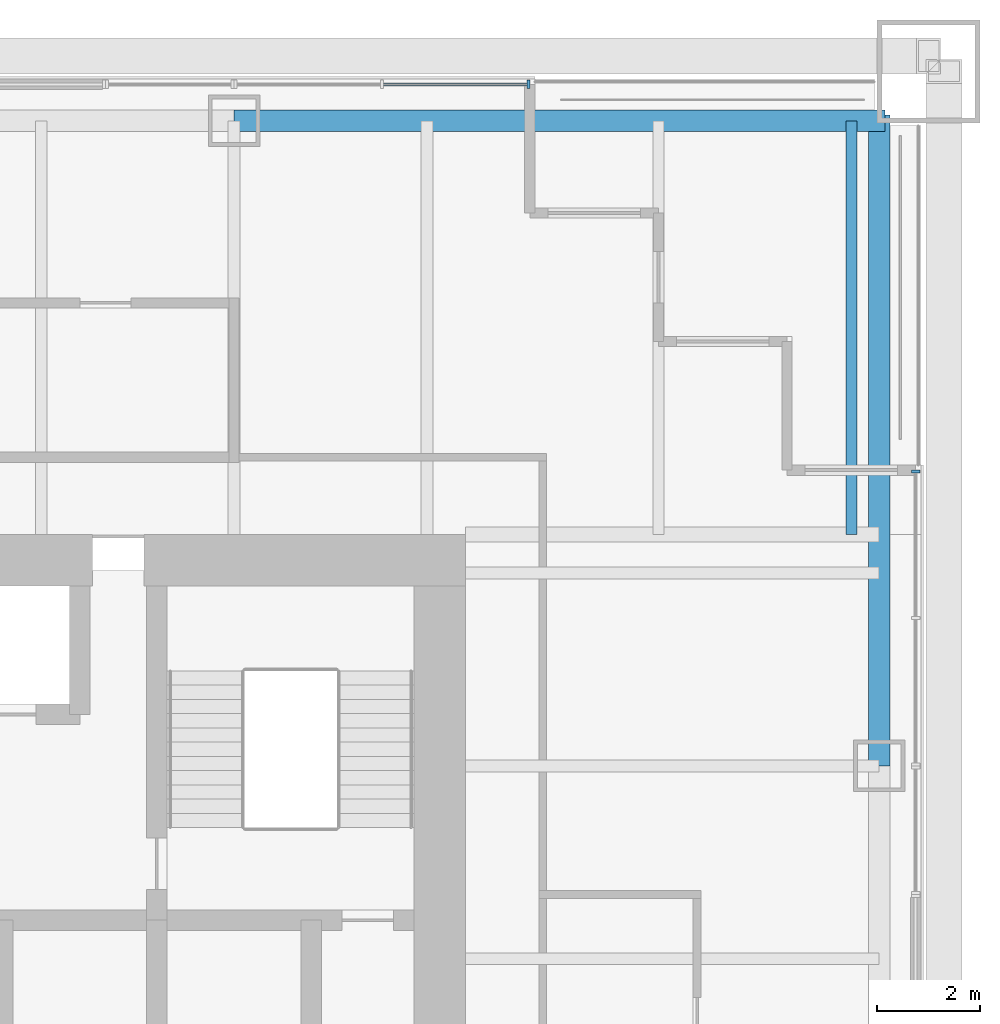
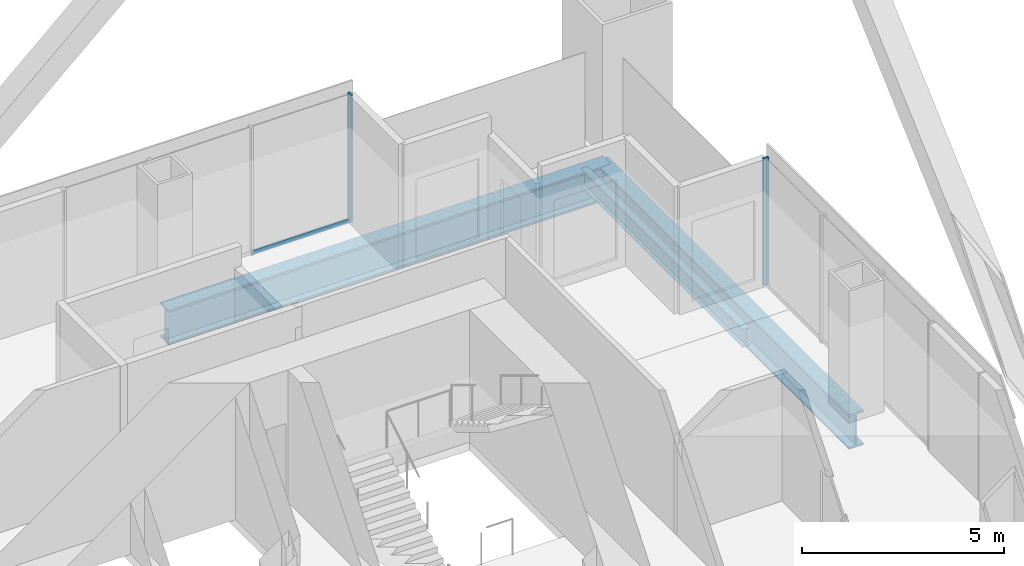
# One storey, part 12 of 19: 3 beams, 3 members, 2 elements without a shape of their own.
"""IFC4 building model written with IfcOpenShell, lengths in metres."""

from ifc_helpers import new_model, si_unit, direction, frame, origin, origin_2d, place, context, subcontext, project, spatial, rectangle, i_section, extrude, material, material_profile, profile_set, type_object, element, aggregate, save


model = new_model("IFC4")

# Units and contexts
model_context = context("Model", 3, precision=1e-05, world=origin(), true_north=direction((0.0, 1.0)))
body_context = subcontext(model_context, "Body", "Model", "MODEL_VIEW")
ifc_project = project(units=[si_unit("LENGTHUNIT", "METRE"), si_unit("AREAUNIT", "SQUARE_METRE"), si_unit("VOLUMEUNIT", "CUBIC_METRE"), si_unit("PLANEANGLEUNIT", "RADIAN"), si_unit("MASSUNIT", "GRAM", prefix="KILO")], contexts=[model_context])

# Site, building, storey
site_placement = place(None, origin())
site = spatial("IfcSite", under=ifc_project, at=site_placement, CompositionType="ELEMENT")
building_placement = place(site_placement, origin())
building = spatial("IfcBuilding", under=site, at=building_placement, Name="Tarangal Relay Tower", CompositionType="ELEMENT")
storey_placement = place(building_placement, frame((0.0, 0.0, 275.89990234375)))
storey = spatial("IfcBuildingStorey", under=building, at=storey_placement, Name="L60", CompositionType="ELEMENT", Elevation=275.89990234375)

# Beams
ifc_material_1 = material(Name="Steel ASTM A992", Category="steel")
ifc_material_profile_1 = material_profile(ifc_material_1, i_section(OverallWidth=0.209228515625, OverallDepth=0.533447265625, WebThickness=0.01025390625, FlangeThickness=0.015625, at=origin_2d()), Name="W21X62")
ifc_profile_set_1 = profile_set([ifc_material_profile_1], Name="Steel ASTM A992")
beam_type_1 = type_object("IfcBeamType", Name="Corner beam W21X62", PredefinedType="JOIST", material=ifc_profile_set_1)
beam_placement = place(storey_placement, frame((19.5, 12.0, -0.41650390625), z_axis=(0.0, 1.0, 0.0), x_axis=(-1.0, 0.0, 0.0)))
element("IfcBeam", 1, at=beam_placement, inside=storey, type_object=beam_type_1, Name="Corner beam CB12 N L60", PredefinedType="JOIST", context=body_context, shape_type="SweptSolid", body=[
    extrude(i_section(OverallWidth=0.209228515625, OverallDepth=0.533447265625, WebThickness=0.01025390625, FlangeThickness=0.015625, at=origin_2d()), origin(), (0.0, 0.0, 1.0), 8.0400390625),
])
ifc_material_profile_2 = material_profile(ifc_material_1, i_section(OverallWidth=0.41162109375, OverallDepth=1.049072265625, WebThickness=0.033935546875, FlangeThickness=0.059814453125, at=origin_2d()), Name="W40X431")
ifc_profile_set_2 = profile_set([ifc_material_profile_2], Name="Steel ASTM A992")
beam_type_2 = type_object("IfcBeamType", Name="Edge girder W40X431", PredefinedType="SPANDREL", material=ifc_profile_set_2)
for number, where, z_axis, x_axis, name in (
    (2, (7.5, 20.0400390625, -0.67431640625), (1.0, 0.0, 0.0), (0.0, 1.0, 0.0), "Edge girder EG1 N L60"),
    (3, (20.0400390625, 20.14990234375, -0.67431640625), (0.0, -1.0, 0.0), (1.0, 0.0, 0.0), "Edge girder EG1 E L60"),
):
    element("IfcBeam", number, at=place(storey_placement, frame(where, z_axis=z_axis, x_axis=x_axis)), inside=storey, type_object=beam_type_2, Name=name, PredefinedType="SPANDREL", context=body_context, shape_type="SweptSolid", body=[
        extrude(i_section(OverallWidth=0.41162109375, OverallDepth=1.049072265625, WebThickness=0.033935546875, FlangeThickness=0.059814453125, at=origin_2d()), origin(), (0.0, 0.0, 1.0), 12.64990234375),
    ])

# Curtain wall, member
ifc_material_2 = material(Name="Unitised curtain wall, dark glass and black aluminium", Category="aluminium")
curtain_wall_type = type_object("IfcCurtainWallType", Name="Curtain wall CW-B", PredefinedType="USERDEFINED", material=ifc_material_2)
curtain_wall_1_placement = place(storey_placement, origin())
curtain_wall_1 = element("IfcCurtainWall", 4, at=curtain_wall_1_placement, inside=storey, type_object=curtain_wall_type, Name="Curtain wall CW-B N facade L60", ObjectType="UNITISED CURTAIN WALL", PredefinedType="USERDEFINED")
ifc_material_3 = material(Name="Black anodised aluminium mullion", Category="aluminium")
ifc_material_profile_3 = material_profile(ifc_material_3, rectangle(XDim=0.159912109375, YDim=0.06005859375, at=origin_2d()), Name="CW-BM 60X160")
ifc_profile_set_3 = profile_set([ifc_material_profile_3], Name="Black anodised aluminium mullion")
member_type_1 = type_object("IfcMemberType", Name="Mullion CW-B 60 x 160", PredefinedType="MULLION", material=ifc_profile_set_3)
member_1_placement = place(storey_placement, frame((13.219970703125, 20.75, 0.0), z_axis=(0.0, 0.0, 1.0), x_axis=(0.0, 1.0, 0.0)))
member_1 = element("IfcMember", 5, at=member_1_placement, type_object=member_type_1, Name="CW-B mullion 3", PredefinedType="MULLION", context=body_context, shape_type="SweptSolid", body=[
    extrude(rectangle(XDim=0.159912109375, YDim=0.06005859375, at=origin_2d()), origin(), (0.0, 0.0, 1.0), 3.85009765625),
])

curtain_wall_2_placement = place(storey_placement, origin())
curtain_wall_2 = element("IfcCurtainWall", 6, at=curtain_wall_2_placement, inside=storey, type_object=curtain_wall_type, Name="Curtain wall CW-B E facade L60", ObjectType="UNITISED CURTAIN WALL", PredefinedType="USERDEFINED")
member_2_placement = place(storey_placement, frame((20.75, 13.219970703125, 0.0), z_axis=(0.0, 0.0, 1.0), x_axis=(1.0, 0.0, 0.0)))
member_2 = element("IfcMember", 7, at=member_2_placement, type_object=member_type_1, Name="CW-B mullion 1", PredefinedType="MULLION", context=body_context, shape_type="SweptSolid", body=[
    extrude(rectangle(XDim=0.159912109375, YDim=0.06005859375, at=origin_2d()), origin(), (0.0, 0.0, 1.0), 3.85009765625),
])
aggregate(curtain_wall_2, [member_2])

# Member
ifc_material_4 = material(Name="Black anodised aluminium transom", Category="aluminium")
ifc_material_profile_4 = material_profile(ifc_material_4, rectangle(XDim=0.06005859375, YDim=0.1298828125, at=origin_2d()), Name="CW-BT 60X130")
ifc_profile_set_4 = profile_set([ifc_material_profile_4], Name="Black anodised aluminium transom")
member_type_2 = type_object("IfcMemberType", Name="Transom CW-B 60 x 130", PredefinedType="USERDEFINED", material=ifc_profile_set_4)
member_3_placement = place(storey_placement, frame((10.405029296875, 20.75, 0.030029296875), z_axis=(1.0, 0.0, 0.0), x_axis=(0.0, 1.0, 0.0)))
member_3 = element("IfcMember", 8, at=member_3_placement, type_object=member_type_2, Name="CW-B transom 2.1", ObjectType="TRANSOM", PredefinedType="USERDEFINED", context=body_context, shape_type="SweptSolid", body=[
    extrude(rectangle(XDim=0.06005859375, YDim=0.1298828125, at=origin_2d()), origin(), (0.0, 0.0, 1.0), 2.784912109375),
])

aggregate(curtain_wall_1, [member_1, member_3])

save(model, "model.ifc")
